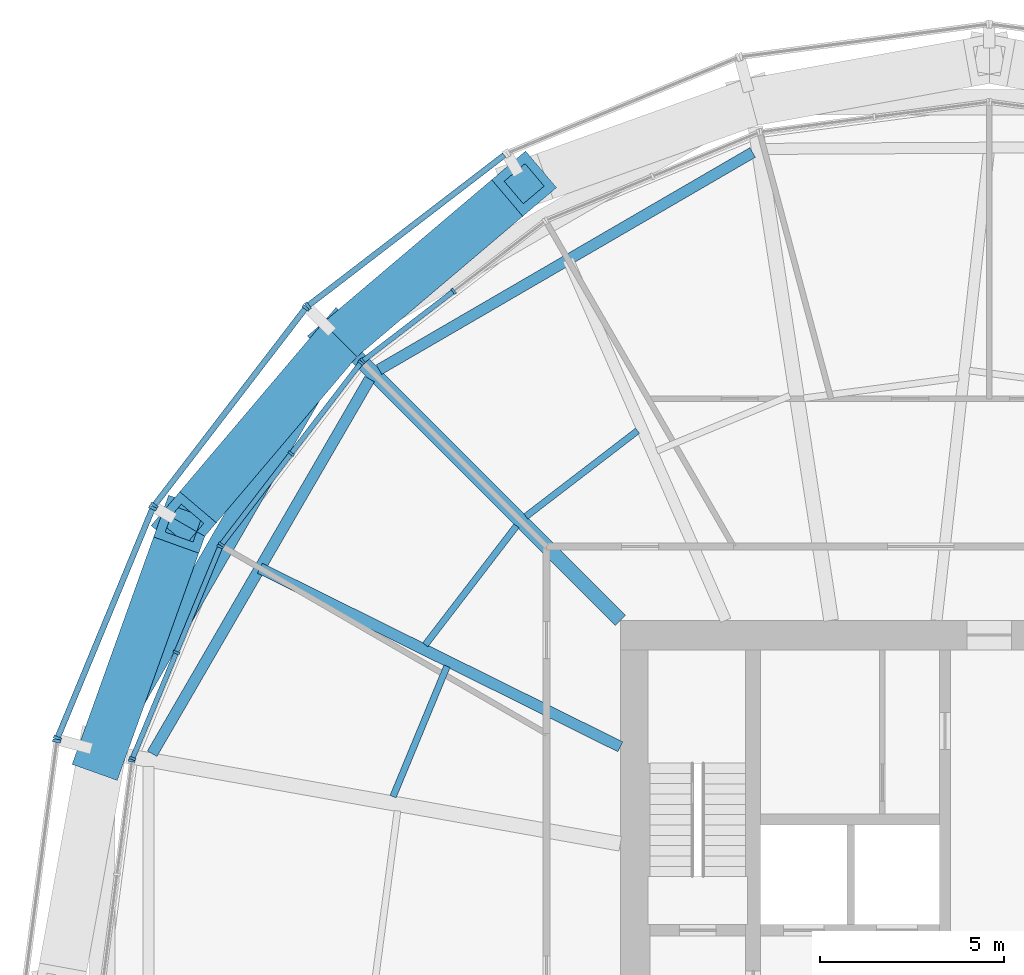
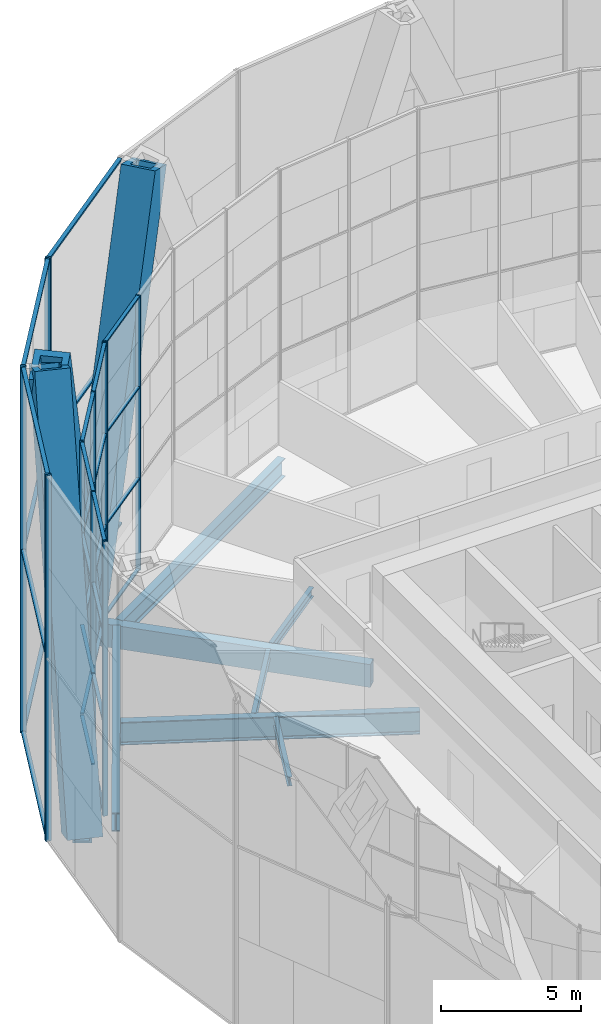
# One storey, part 7 of 26: 47 members, 8 beams, 8 elements without a shape of their own.
"""IFC4 building model written with IfcOpenShell, lengths in metres."""

from ifc_helpers import new_model, si_unit, direction, frame, origin, origin_2d, place, context, subcontext, project, spatial, rectangle, hollow_rectangle, i_section, extrude, material, material_profile, profile_set, type_object, element, aggregate, save


model = new_model("IFC4")

# Units and contexts
model_context = context("Model", 3, precision=1e-05, world=origin(), true_north=direction((0.0, 1.0)))
body_context = subcontext(model_context, "Body", "Model", "MODEL_VIEW")
ifc_project = project(units=[si_unit("LENGTHUNIT", "METRE"), si_unit("AREAUNIT", "SQUARE_METRE"), si_unit("VOLUMEUNIT", "CUBIC_METRE"), si_unit("PLANEANGLEUNIT", "RADIAN"), si_unit("MASSUNIT", "GRAM", prefix="KILO")], contexts=[model_context])

# Site, building, storey
site_placement = place(None, origin())
site = spatial("IfcSite", under=ifc_project, at=site_placement, CompositionType="ELEMENT")
building_placement = place(site_placement, origin())
building = spatial("IfcBuilding", under=site, at=building_placement, Name="Golbaran Civic Tower", CompositionType="ELEMENT")
storey_placement = place(building_placement, frame((0.0, 0.0, 69.0)))
storey = spatial("IfcBuildingStorey", under=building, at=storey_placement, Name="L16", CompositionType="ELEMENT", Elevation=69.0)

# Members
ifc_material_1 = material(Name="Steel S355", Category="steel")
ifc_material_profile_1 = material_profile(ifc_material_1, hollow_rectangle(XDim=1.300048828125, YDim=1.300048828125, WallThickness=0.25, at=origin_2d()), Name="BOX 1300x1300x250")
ifc_profile_set_1 = profile_set([ifc_material_profile_1], Name="Steel S355")
member_type_1 = type_object("IfcMemberType", Name="DIAGRID DIAGONAL BOX 1300x1300x250", PredefinedType="BRACE", material=ifc_profile_set_1)
for number, where, z_axis, x_axis, name in (
    (1, (-17.6005859375, 17.6005859375, -0.7099609375), (-0.244835995768, -0.288939520875, 0.925510285439), (0.762932071589, -0.646478657143, 0.0), "Diagonal D03-04R L16-L20"),
    (2, (-17.6005859375, 17.6005859375, -0.7099609375), (0.288939520875, 0.244835995768, 0.925510285439), (-0.646478657143, 0.762932071589, 0.0), "Diagonal D03-04L L16-L20"),
    (3, (-24.04296875, 6.4423828125, -0.7099609375), (0.127819765109, 0.356500071861, 0.925510565262), (-0.941324428799, 0.337503066276, 0.0), "Diagonal D03-05L L16-L20"),
):
    element("IfcMember", number, at=place(storey_placement, frame(where, z_axis=z_axis, x_axis=x_axis)), inside=storey, type_object=member_type_1, Name=name, PredefinedType="BRACE", context=body_context, shape_type="SweptSolid", body=[
        extrude(hollow_rectangle(XDim=1.300048828125, YDim=1.300048828125, WallThickness=0.25, at=origin_2d()), origin(), (0.0, 0.0, 1.0), 17.287841796875),
    ])

# Beams
ifc_material_profile_2 = material_profile(ifc_material_1, hollow_rectangle(XDim=0.699951171875, YDim=0.699951171875, WallThickness=0.080078125, at=origin_2d()), Name="BOX 700x700x80")
ifc_profile_set_2 = profile_set([ifc_material_profile_2], Name="Steel S355")
beam_type_1 = type_object("IfcBeamType", Name="DIAGRID RING TIE BOX 700x700x80", PredefinedType="BEAM", material=ifc_profile_set_2)
beam_1_placement = place(storey_placement, frame((-17.6005859375, 17.6005859375, -0.7099609375), z_axis=(-0.500011131643, -0.866018976832, 0.0), x_axis=(0.866018976832, -0.500011131643, 0.0)))
element("IfcBeam", 4, at=beam_1_placement, inside=storey, type_object=beam_type_1, Name="Ring tie 135.00 L16", PredefinedType="BEAM", context=body_context, shape_type="SweptSolid", body=[
    extrude(hollow_rectangle(XDim=0.699951171875, YDim=0.699951171875, WallThickness=0.080078125, at=origin_2d()), origin(), (0.0, 0.0, 1.0), 12.884521484375),
])
ifc_material_profile_3 = material_profile(ifc_material_1, i_section(OverallWidth=0.300048828125, OverallDepth=0.800048828125, WebThickness=0.017578125, FlangeThickness=0.032958984375, FilletRadius=0.030029296875, at=origin_2d()), Name="HEB 800")
ifc_profile_set_3 = profile_set([ifc_material_profile_3], Name="Steel S355")
beam_type_2 = type_object("IfcBeamType", Name="EDGE BEAM HEB 800", PredefinedType="BEAM", material=ifc_profile_set_3)
beam_2_placement = place(storey_placement, frame((-6.414794921875, 22.6787109375, -0.60009765625), z_axis=(-0.864537100855, -0.502569001476, 0.0), x_axis=(0.502569001476, -0.864537100855, 0.0)))
element("IfcBeam", 5, at=beam_2_placement, inside=storey, type_object=beam_type_2, Name="Edge beam 105.00 L16", PredefinedType="BEAM", context=body_context, shape_type="SweptSolid", body=[
    extrude(i_section(OverallWidth=0.300048828125, OverallDepth=0.800048828125, WebThickness=0.017578125, FlangeThickness=0.032958984375, FilletRadius=0.030029296875, at=origin_2d()), origin(), (0.0, 0.0, 1.0), 11.71044921875),
])
beam_3_placement = place(storey_placement, frame((-16.79345703125, 16.538818359375, -0.60009765625), z_axis=(-0.50199656433, -0.864869614104, 0.0), x_axis=(0.864869614104, -0.50199656433, 0.0)))
element("IfcBeam", 6, at=beam_3_placement, inside=storey, type_object=beam_type_2, Name="Edge beam 135.00 L16", PredefinedType="BEAM", context=body_context, shape_type="SweptSolid", body=[
    extrude(i_section(OverallWidth=0.300048828125, OverallDepth=0.800048828125, WebThickness=0.017578125, FlangeThickness=0.032958984375, FilletRadius=0.030029296875, at=origin_2d()), origin(), (0.0, 0.0, 1.0), 11.74169921875),
])
ifc_material_profile_4 = material_profile(ifc_material_1, i_section(OverallWidth=0.179931640625, OverallDepth=0.39990234375, WebThickness=0.008544921875, FlangeThickness=0.013427734375, FilletRadius=0.02099609375, at=origin_2d()), Name="IPE 400")
ifc_profile_set_4 = profile_set([ifc_material_profile_4], Name="Steel S355")
beam_type_3 = type_object("IfcBeamType", Name="FLOOR INFILL BEAM IPE 400", PredefinedType="BEAM", material=ifc_profile_set_4)
beam_4_placement = place(storey_placement, frame((-9.531005859375, 15.1376953125, -0.39990234375), z_axis=(-0.793350991378, -0.608764490159, 0.0), x_axis=(0.608764490159, -0.793350991378, 0.0)))
element("IfcBeam", 7, at=beam_4_placement, inside=storey, type_object=beam_type_3, Name="Infill beam 127.50 L16", PredefinedType="BEAM", context=body_context, shape_type="SweptSolid", body=[
    extrude(i_section(OverallWidth=0.179931640625, OverallDepth=0.39990234375, WebThickness=0.008544921875, FlangeThickness=0.013427734375, FilletRadius=0.02099609375, at=origin_2d()), origin(), (0.0, 0.0, 1.0), 3.817138671875),
])
beam_5_placement = place(storey_placement, frame((-12.813232421875, 12.55859375, -0.39990234375), z_axis=(-0.608754558613, -0.793358612084, 0.0), x_axis=(0.793358612084, -0.608754558613, 0.0)))
element("IfcBeam", 8, at=beam_5_placement, inside=storey, type_object=beam_type_3, Name="Infill beam 142.50 L16", PredefinedType="BEAM", context=body_context, shape_type="SweptSolid", body=[
    extrude(i_section(OverallWidth=0.179931640625, OverallDepth=0.39990234375, WebThickness=0.008544921875, FlangeThickness=0.013427734375, FilletRadius=0.02099609375, at=origin_2d()), origin(), (0.0, 0.0, 1.0), 4.0615234375),
])
beam_6_placement = place(storey_placement, frame((-14.696044921875, 8.75390625, -0.39990234375), z_axis=(-0.382660123613, -0.923889186968, 0.0), x_axis=(0.923889186968, -0.382660123613, 0.0)))
element("IfcBeam", 9, at=beam_6_placement, inside=storey, type_object=beam_type_3, Name="Infill beam 157.50 L16", PredefinedType="BEAM", context=body_context, shape_type="SweptSolid", body=[
    extrude(i_section(OverallWidth=0.179931640625, OverallDepth=0.39990234375, WebThickness=0.008544921875, FlangeThickness=0.013427734375, FilletRadius=0.02099609375, at=origin_2d()), origin(), (0.0, 0.0, 1.0), 3.822998046875),
])

# Curtain wall, members
ifc_material_2 = material(Name="Aluminium and glass", Category="aluminium")
curtain_wall_type_1 = type_object("IfcCurtainWallType", Name="INNER SKIN CURTAIN WALL", PredefinedType="NOTDEFINED", material=ifc_material_2)
curtain_wall_1_placement = place(storey_placement, origin())
curtain_wall_1 = element("IfcCurtainWall", 10, at=curtain_wall_1_placement, inside=storey, type_object=curtain_wall_type_1, Name="Inner skin L16 facet 9 CW1", ObjectType="INNER SKIN", PredefinedType="USERDEFINED")
ifc_material_3 = material(Name="Aluminium", Category="aluminium")
ifc_material_profile_5 = material_profile(ifc_material_3, rectangle(XDim=0.179931640625, YDim=0.06494140625, at=origin_2d()), Name="INNER SKIN CURTAIN WALL MULLION")
ifc_profile_set_5 = profile_set([ifc_material_profile_5], Name="Aluminium")
member_type_2 = type_object("IfcMemberType", Name="INNER SKIN CURTAIN WALL MULLION", PredefinedType="MULLION", material=ifc_profile_set_5)
member_1_placement = place(storey_placement, frame((-14.517333984375, 18.919189453125, 0.0), z_axis=(0.0, 0.0, 1.0), x_axis=(0.608761428967, -0.793353340323, 0.0)))
member_1 = element("IfcMember", 11, at=member_1_placement, type_object=member_type_2, Name="CW1 mullion 2", PredefinedType="MULLION", context=body_context, shape_type="SweptSolid", body=[
    extrude(rectangle(XDim=0.179931640625, YDim=0.06494140625, at=origin_2d()), origin(), (0.0, 0.0, 1.0), 12.0),
])
member_2_placement = place(storey_placement, frame((-16.982177734375, 17.02783203125, 0.0), z_axis=(0.0, 0.0, 1.0), x_axis=(0.608761428967, -0.793353340323, 0.0)))
member_2 = element("IfcMember", 12, at=member_2_placement, type_object=member_type_2, Name="CW1 mullion 3", PredefinedType="MULLION", context=body_context, shape_type="SweptSolid", body=[
    extrude(rectangle(XDim=0.179931640625, YDim=0.06494140625, at=origin_2d()), origin(), (0.0, 0.0, 1.0), 12.0),
])

curtain_wall_2_placement = place(storey_placement, origin())
curtain_wall_2 = element("IfcCurtainWall", 13, at=curtain_wall_2_placement, inside=storey, type_object=curtain_wall_type_1, Name="Inner skin L16 facet 10 CW1", ObjectType="INNER SKIN", PredefinedType="USERDEFINED")
member_3_placement = place(storey_placement, frame((-17.02783203125, 16.982177734375, 0.0), z_axis=(0.0, 0.0, 1.0), x_axis=(0.793353340323, -0.608761428967, 0.0)))
member_3 = element("IfcMember", 14, at=member_3_placement, type_object=member_type_2, Name="CW1 mullion 1", PredefinedType="MULLION", context=body_context, shape_type="SweptSolid", body=[
    extrude(rectangle(XDim=0.179931640625, YDim=0.06494140625, at=origin_2d()), origin(), (0.0, 0.0, 1.0), 12.0),
])
member_4_placement = place(storey_placement, frame((-18.919189453125, 14.517333984375, 0.0), z_axis=(0.0, 0.0, 1.0), x_axis=(0.793353340323, -0.608761428967, 0.0)))
member_4 = element("IfcMember", 15, at=member_4_placement, type_object=member_type_2, Name="CW1 mullion 2", PredefinedType="MULLION", context=body_context, shape_type="SweptSolid", body=[
    extrude(rectangle(XDim=0.179931640625, YDim=0.06494140625, at=origin_2d()), origin(), (0.0, 0.0, 1.0), 12.0),
])
member_5_placement = place(storey_placement, frame((-20.810791015625, 12.05224609375, 0.0), z_axis=(0.0, 0.0, 1.0), x_axis=(0.793353340323, -0.608761428967, 0.0)))
member_5 = element("IfcMember", 16, at=member_5_placement, type_object=member_type_2, Name="CW1 mullion 3", PredefinedType="MULLION", context=body_context, shape_type="SweptSolid", body=[
    extrude(rectangle(XDim=0.179931640625, YDim=0.06494140625, at=origin_2d()), origin(), (0.0, 0.0, 1.0), 12.0),
])

curtain_wall_3_placement = place(storey_placement, origin())
curtain_wall_3 = element("IfcCurtainWall", 17, at=curtain_wall_3_placement, inside=storey, type_object=curtain_wall_type_1, Name="Inner skin L16 facet 11 CW1", ObjectType="INNER SKIN", PredefinedType="USERDEFINED")
member_6_placement = place(storey_placement, frame((-20.843017578125, 11.99658203125, 0.0), z_axis=(0.0, 0.0, 1.0), x_axis=(0.923879532478, -0.382683432446, 0.0)))
member_6 = element("IfcMember", 18, at=member_6_placement, type_object=member_type_2, Name="CW1 mullion 1", PredefinedType="MULLION", context=body_context, shape_type="SweptSolid", body=[
    extrude(rectangle(XDim=0.179931640625, YDim=0.06494140625, at=origin_2d()), origin(), (0.0, 0.0, 1.0), 12.0),
])
member_7_placement = place(storey_placement, frame((-22.031982421875, 9.1259765625, 0.0), z_axis=(0.0, 0.0, 1.0), x_axis=(0.923879532478, -0.382683432446, 0.0)))
member_7 = element("IfcMember", 19, at=member_7_placement, type_object=member_type_2, Name="CW1 mullion 2", PredefinedType="MULLION", context=body_context, shape_type="SweptSolid", body=[
    extrude(rectangle(XDim=0.179931640625, YDim=0.06494140625, at=origin_2d()), origin(), (0.0, 0.0, 1.0), 12.0),
])
member_8_placement = place(storey_placement, frame((-23.220947265625, 6.25537109375, 0.0), z_axis=(0.0, 0.0, 1.0), x_axis=(0.923879532478, -0.382683432446, 0.0)))
member_8 = element("IfcMember", 20, at=member_8_placement, type_object=member_type_2, Name="CW1 mullion 3", PredefinedType="MULLION", context=body_context, shape_type="SweptSolid", body=[
    extrude(rectangle(XDim=0.179931640625, YDim=0.06494140625, at=origin_2d()), origin(), (0.0, 0.0, 1.0), 12.0),
])

# Curtain wall, member
curtain_wall_4_placement = place(storey_placement, origin())
curtain_wall_4 = element("IfcCurtainWall", 21, at=curtain_wall_4_placement, inside=storey, type_object=curtain_wall_type_1, Name="Inner skin L16 facet 12 CW1", ObjectType="INNER SKIN", PredefinedType="USERDEFINED")
member_9_placement = place(storey_placement, frame((-23.237548828125, 6.193115234375, 0.0), z_axis=(0.0, 0.0, 1.0), x_axis=(0.991444861381, -0.130526192168, 0.0)))
member_9 = element("IfcMember", 22, at=member_9_placement, type_object=member_type_2, Name="CW1 mullion 1", PredefinedType="MULLION", context=body_context, shape_type="SweptSolid", body=[
    extrude(rectangle(XDim=0.179931640625, YDim=0.06494140625, at=origin_2d()), origin(), (0.0, 0.0, 1.0), 12.0),
])
aggregate(curtain_wall_4, [member_9])

# Member
ifc_material_profile_6 = material_profile(ifc_material_3, rectangle(XDim=0.139892578125, YDim=0.06494140625, at=origin_2d()), Name="INNER SKIN CURTAIN WALL TRANSOM")
ifc_profile_set_6 = profile_set([ifc_material_profile_6], Name="Aluminium")
member_type_3 = type_object("IfcMemberType", Name="INNER SKIN CURTAIN WALL TRANSOM", PredefinedType="USERDEFINED", material=ifc_profile_set_6)
member_10_placement = place(storey_placement, frame((-14.54296875, 18.8994140625, 0.032470703125), z_axis=(-0.793384137592, -0.608721291082, 0.0), x_axis=(0.608721291082, -0.793384137592, 0.0)))
member_10 = element("IfcMember", 23, at=member_10_placement, type_object=member_type_3, Name="CW1 transom 2.1", ObjectType="TRANSOM", PredefinedType="USERDEFINED", context=body_context, shape_type="SweptSolid", body=[
    extrude(rectangle(XDim=0.139892578125, YDim=0.06494140625, at=origin_2d()), origin(), (0.0, 0.0, 1.0), 3.042236328125),
])

member_11_placement = place(storey_placement, frame((-14.54296875, 18.8994140625, 4.0), z_axis=(-0.793384137592, -0.608721291082, 0.0), x_axis=(0.608721291082, -0.793384137592, 0.0)))
member_11 = element("IfcMember", 24, at=member_11_placement, type_object=member_type_3, Name="CW1 transom 2.2", ObjectType="TRANSOM", PredefinedType="USERDEFINED", context=body_context, shape_type="SweptSolid", body=[
    extrude(rectangle(XDim=0.139892578125, YDim=0.06494140625, at=origin_2d()), origin(), (0.0, 0.0, 1.0), 3.042236328125),
])

member_12_placement = place(storey_placement, frame((-14.54296875, 18.8994140625, 8.0), z_axis=(-0.793384137592, -0.608721291082, 0.0), x_axis=(0.608721291082, -0.793384137592, 0.0)))
member_12 = element("IfcMember", 25, at=member_12_placement, type_object=member_type_3, Name="CW1 transom 2.3", ObjectType="TRANSOM", PredefinedType="USERDEFINED", context=body_context, shape_type="SweptSolid", body=[
    extrude(rectangle(XDim=0.139892578125, YDim=0.06494140625, at=origin_2d()), origin(), (0.0, 0.0, 1.0), 3.042236328125),
])

member_13_placement = place(storey_placement, frame((-14.54296875, 18.8994140625, 11.967529296875), z_axis=(-0.793384137592, -0.608721291082, 0.0), x_axis=(0.608721291082, -0.793384137592, 0.0)))
member_13 = element("IfcMember", 26, at=member_13_placement, type_object=member_type_3, Name="CW1 transom 2.4", ObjectType="TRANSOM", PredefinedType="USERDEFINED", context=body_context, shape_type="SweptSolid", body=[
    extrude(rectangle(XDim=0.139892578125, YDim=0.06494140625, at=origin_2d()), origin(), (0.0, 0.0, 1.0), 3.042236328125),
])

aggregate(curtain_wall_1, [member_1, member_2, member_10, member_11, member_12, member_13])

member_14_placement = place(storey_placement, frame((-17.047607421875, 16.95654296875, 0.032470703125), z_axis=(-0.608721291082, -0.793384137592, 0.0), x_axis=(0.793384137592, -0.608721291082, 0.0)))
member_14 = element("IfcMember", 27, at=member_14_placement, type_object=member_type_3, Name="CW1 transom 1.1", ObjectType="TRANSOM", PredefinedType="USERDEFINED", context=body_context, shape_type="SweptSolid", body=[
    extrude(rectangle(XDim=0.139892578125, YDim=0.06494140625, at=origin_2d()), origin(), (0.0, 0.0, 1.0), 3.042236328125),
])

member_15_placement = place(storey_placement, frame((-17.047607421875, 16.95654296875, 4.0), z_axis=(-0.608721291082, -0.793384137592, 0.0), x_axis=(0.793384137592, -0.608721291082, 0.0)))
member_15 = element("IfcMember", 28, at=member_15_placement, type_object=member_type_3, Name="CW1 transom 1.2", ObjectType="TRANSOM", PredefinedType="USERDEFINED", context=body_context, shape_type="SweptSolid", body=[
    extrude(rectangle(XDim=0.139892578125, YDim=0.06494140625, at=origin_2d()), origin(), (0.0, 0.0, 1.0), 3.042236328125),
])

member_16_placement = place(storey_placement, frame((-17.047607421875, 16.95654296875, 8.0), z_axis=(-0.608721291082, -0.793384137592, 0.0), x_axis=(0.793384137592, -0.608721291082, 0.0)))
member_16 = element("IfcMember", 29, at=member_16_placement, type_object=member_type_3, Name="CW1 transom 1.3", ObjectType="TRANSOM", PredefinedType="USERDEFINED", context=body_context, shape_type="SweptSolid", body=[
    extrude(rectangle(XDim=0.139892578125, YDim=0.06494140625, at=origin_2d()), origin(), (0.0, 0.0, 1.0), 3.042236328125),
])

member_17_placement = place(storey_placement, frame((-17.047607421875, 16.95654296875, 11.967529296875), z_axis=(-0.608721291082, -0.793384137592, 0.0), x_axis=(0.793384137592, -0.608721291082, 0.0)))
member_17 = element("IfcMember", 30, at=member_17_placement, type_object=member_type_3, Name="CW1 transom 1.4", ObjectType="TRANSOM", PredefinedType="USERDEFINED", context=body_context, shape_type="SweptSolid", body=[
    extrude(rectangle(XDim=0.139892578125, YDim=0.06494140625, at=origin_2d()), origin(), (0.0, 0.0, 1.0), 3.042236328125),
])

member_18_placement = place(storey_placement, frame((-18.93896484375, 14.491455078125, 0.032470703125), z_axis=(-0.608810562982, -0.79331563605, 0.0), x_axis=(0.79331563605, -0.608810562982, 0.0)))
member_18 = element("IfcMember", 31, at=member_18_placement, type_object=member_type_3, Name="CW1 transom 2.1", ObjectType="TRANSOM", PredefinedType="USERDEFINED", context=body_context, shape_type="SweptSolid", body=[
    extrude(rectangle(XDim=0.139892578125, YDim=0.06494140625, at=origin_2d()), origin(), (0.0, 0.0, 1.0), 3.0419921875),
])

member_19_placement = place(storey_placement, frame((-18.93896484375, 14.491455078125, 4.0), z_axis=(-0.608810562982, -0.79331563605, 0.0), x_axis=(0.79331563605, -0.608810562982, 0.0)))
member_19 = element("IfcMember", 32, at=member_19_placement, type_object=member_type_3, Name="CW1 transom 2.2", ObjectType="TRANSOM", PredefinedType="USERDEFINED", context=body_context, shape_type="SweptSolid", body=[
    extrude(rectangle(XDim=0.139892578125, YDim=0.06494140625, at=origin_2d()), origin(), (0.0, 0.0, 1.0), 3.0419921875),
])

member_20_placement = place(storey_placement, frame((-18.93896484375, 14.491455078125, 8.0), z_axis=(-0.608810562982, -0.79331563605, 0.0), x_axis=(0.79331563605, -0.608810562982, 0.0)))
member_20 = element("IfcMember", 33, at=member_20_placement, type_object=member_type_3, Name="CW1 transom 2.3", ObjectType="TRANSOM", PredefinedType="USERDEFINED", context=body_context, shape_type="SweptSolid", body=[
    extrude(rectangle(XDim=0.139892578125, YDim=0.06494140625, at=origin_2d()), origin(), (0.0, 0.0, 1.0), 3.0419921875),
])

member_21_placement = place(storey_placement, frame((-18.93896484375, 14.491455078125, 11.967529296875), z_axis=(-0.608810562982, -0.79331563605, 0.0), x_axis=(0.79331563605, -0.608810562982, 0.0)))
member_21 = element("IfcMember", 34, at=member_21_placement, type_object=member_type_3, Name="CW1 transom 2.4", ObjectType="TRANSOM", PredefinedType="USERDEFINED", context=body_context, shape_type="SweptSolid", body=[
    extrude(rectangle(XDim=0.139892578125, YDim=0.06494140625, at=origin_2d()), origin(), (0.0, 0.0, 1.0), 3.0419921875),
])

aggregate(curtain_wall_2, [member_3, member_4, member_5, member_14, member_15, member_16, member_17, member_18, member_19, member_20, member_21])

member_22_placement = place(storey_placement, frame((-20.85546875, 11.966552734375, 0.032470703125), z_axis=(-0.382654214168, -0.923891634543, 0.0), x_axis=(0.923891634543, -0.382654214168, 0.0)))
member_22 = element("IfcMember", 35, at=member_22_placement, type_object=member_type_3, Name="CW1 transom 1.1", ObjectType="TRANSOM", PredefinedType="USERDEFINED", context=body_context, shape_type="SweptSolid", body=[
    extrude(rectangle(XDim=0.139892578125, YDim=0.06494140625, at=origin_2d()), origin(), (0.0, 0.0, 1.0), 3.0419921875),
])

member_23_placement = place(storey_placement, frame((-20.85546875, 11.966552734375, 4.0), z_axis=(-0.382654214168, -0.923891634543, 0.0), x_axis=(0.923891634543, -0.382654214168, 0.0)))
member_23 = element("IfcMember", 36, at=member_23_placement, type_object=member_type_3, Name="CW1 transom 1.2", ObjectType="TRANSOM", PredefinedType="USERDEFINED", context=body_context, shape_type="SweptSolid", body=[
    extrude(rectangle(XDim=0.139892578125, YDim=0.06494140625, at=origin_2d()), origin(), (0.0, 0.0, 1.0), 3.0419921875),
])

member_24_placement = place(storey_placement, frame((-20.85546875, 11.966552734375, 8.0), z_axis=(-0.382654214168, -0.923891634543, 0.0), x_axis=(0.923891634543, -0.382654214168, 0.0)))
member_24 = element("IfcMember", 37, at=member_24_placement, type_object=member_type_3, Name="CW1 transom 1.3", ObjectType="TRANSOM", PredefinedType="USERDEFINED", context=body_context, shape_type="SweptSolid", body=[
    extrude(rectangle(XDim=0.139892578125, YDim=0.06494140625, at=origin_2d()), origin(), (0.0, 0.0, 1.0), 3.0419921875),
])

member_25_placement = place(storey_placement, frame((-20.85546875, 11.966552734375, 11.967529296875), z_axis=(-0.382654214168, -0.923891634543, 0.0), x_axis=(0.923891634543, -0.382654214168, 0.0)))
member_25 = element("IfcMember", 38, at=member_25_placement, type_object=member_type_3, Name="CW1 transom 1.4", ObjectType="TRANSOM", PredefinedType="USERDEFINED", context=body_context, shape_type="SweptSolid", body=[
    extrude(rectangle(XDim=0.139892578125, YDim=0.06494140625, at=origin_2d()), origin(), (0.0, 0.0, 1.0), 3.0419921875),
])

member_26_placement = place(storey_placement, frame((-22.04443359375, 9.095947265625, 0.032470703125), z_axis=(-0.382654214168, -0.923891634543, 0.0), x_axis=(0.923891634543, -0.382654214168, 0.0)))
member_26 = element("IfcMember", 39, at=member_26_placement, type_object=member_type_3, Name="CW1 transom 2.1", ObjectType="TRANSOM", PredefinedType="USERDEFINED", context=body_context, shape_type="SweptSolid", body=[
    extrude(rectangle(XDim=0.139892578125, YDim=0.06494140625, at=origin_2d()), origin(), (0.0, 0.0, 1.0), 3.0419921875),
])

member_27_placement = place(storey_placement, frame((-22.04443359375, 9.095947265625, 4.0), z_axis=(-0.382654214168, -0.923891634543, 0.0), x_axis=(0.923891634543, -0.382654214168, 0.0)))
member_27 = element("IfcMember", 40, at=member_27_placement, type_object=member_type_3, Name="CW1 transom 2.2", ObjectType="TRANSOM", PredefinedType="USERDEFINED", context=body_context, shape_type="SweptSolid", body=[
    extrude(rectangle(XDim=0.139892578125, YDim=0.06494140625, at=origin_2d()), origin(), (0.0, 0.0, 1.0), 3.0419921875),
])

member_28_placement = place(storey_placement, frame((-22.04443359375, 9.095947265625, 8.0), z_axis=(-0.382654214168, -0.923891634543, 0.0), x_axis=(0.923891634543, -0.382654214168, 0.0)))
member_28 = element("IfcMember", 41, at=member_28_placement, type_object=member_type_3, Name="CW1 transom 2.3", ObjectType="TRANSOM", PredefinedType="USERDEFINED", context=body_context, shape_type="SweptSolid", body=[
    extrude(rectangle(XDim=0.139892578125, YDim=0.06494140625, at=origin_2d()), origin(), (0.0, 0.0, 1.0), 3.0419921875),
])

member_29_placement = place(storey_placement, frame((-22.04443359375, 9.095947265625, 11.967529296875), z_axis=(-0.382654214168, -0.923891634543, 0.0), x_axis=(0.923891634543, -0.382654214168, 0.0)))
member_29 = element("IfcMember", 42, at=member_29_placement, type_object=member_type_3, Name="CW1 transom 2.4", ObjectType="TRANSOM", PredefinedType="USERDEFINED", context=body_context, shape_type="SweptSolid", body=[
    extrude(rectangle(XDim=0.139892578125, YDim=0.06494140625, at=origin_2d()), origin(), (0.0, 0.0, 1.0), 3.0419921875),
])

aggregate(curtain_wall_3, [member_6, member_7, member_8, member_22, member_23, member_24, member_25, member_26, member_27, member_28, member_29])

# Curtain wall, member
curtain_wall_type_2 = type_object("IfcCurtainWallType", Name="OUTER SKIN TERRACOTTA SCREEN", PredefinedType="NOTDEFINED", material=ifc_material_2)
curtain_wall_5_placement = place(storey_placement, origin())
curtain_wall_5 = element("IfcCurtainWall", 43, at=curtain_wall_5_placement, inside=storey, type_object=curtain_wall_type_2, Name="Outer skin L16 facet 9 CW3", ObjectType="OUTER SKIN", PredefinedType="USERDEFINED")
ifc_material_profile_7 = material_profile(ifc_material_3, rectangle(XDim=0.219970703125, YDim=0.080078125, at=origin_2d()), Name="OUTER SKIN TERRACOTTA SCREEN MULLION")
ifc_profile_set_7 = profile_set([ifc_material_profile_7], Name="Aluminium")
member_type_4 = type_object("IfcMemberType", Name="OUTER SKIN TERRACOTTA SCREEN MULLION", PredefinedType="MULLION", material=ifc_profile_set_7)
member_30_placement = place(storey_placement, frame((-18.466796875, 18.52294921875, -0.7099609375), z_axis=(0.0, 0.0, 1.0), x_axis=(0.608761428912, -0.793353340366, 0.0)))
member_30 = element("IfcMember", 44, at=member_30_placement, type_object=member_type_4, Name="CW3 mullion 2", PredefinedType="MULLION", context=body_context, shape_type="SweptSolid", body=[
    extrude(rectangle(XDim=0.219970703125, YDim=0.080078125, at=origin_2d()), origin(), (0.0, 0.0, 1.0), 16.0),
])

# Curtain wall, members
curtain_wall_6_placement = place(storey_placement, origin())
curtain_wall_6 = element("IfcCurtainWall", 45, at=curtain_wall_6_placement, inside=storey, type_object=curtain_wall_type_2, Name="Outer skin L16 facet 10 CW3", ObjectType="OUTER SKIN", PredefinedType="USERDEFINED")
member_31_placement = place(storey_placement, frame((-18.52294921875, 18.466796875, -0.7099609375), z_axis=(0.0, 0.0, 1.0), x_axis=(0.793353340366, -0.608761428912, 0.0)))
member_31 = element("IfcMember", 46, at=member_31_placement, type_object=member_type_4, Name="CW3 mullion 1", PredefinedType="MULLION", context=body_context, shape_type="SweptSolid", body=[
    extrude(rectangle(XDim=0.219970703125, YDim=0.080078125, at=origin_2d()), origin(), (0.0, 0.0, 1.0), 16.0),
])
member_32_placement = place(storey_placement, frame((-22.6318359375, 13.1123046875, -0.7099609375), z_axis=(0.0, 0.0, 1.0), x_axis=(0.793353340366, -0.608761428912, 0.0)))
member_32 = element("IfcMember", 47, at=member_32_placement, type_object=member_type_4, Name="CW3 mullion 2", PredefinedType="MULLION", context=body_context, shape_type="SweptSolid", body=[
    extrude(rectangle(XDim=0.219970703125, YDim=0.080078125, at=origin_2d()), origin(), (0.0, 0.0, 1.0), 16.0),
])

curtain_wall_7_placement = place(storey_placement, origin())
curtain_wall_7 = element("IfcCurtainWall", 48, at=curtain_wall_7_placement, inside=storey, type_object=curtain_wall_type_2, Name="Outer skin L16 facet 11 CW3", ObjectType="OUTER SKIN", PredefinedType="USERDEFINED")
member_33_placement = place(storey_placement, frame((-22.67138671875, 13.04345703125, -0.7099609375), z_axis=(0.0, 0.0, 1.0), x_axis=(0.923879532465, -0.382683432478, 0.0)))
member_33 = element("IfcMember", 49, at=member_33_placement, type_object=member_type_4, Name="CW3 mullion 1", PredefinedType="MULLION", context=body_context, shape_type="SweptSolid", body=[
    extrude(rectangle(XDim=0.219970703125, YDim=0.080078125, at=origin_2d()), origin(), (0.0, 0.0, 1.0), 16.0),
])
member_34_placement = place(storey_placement, frame((-25.25439453125, 6.807861328125, -0.7099609375), z_axis=(0.0, 0.0, 1.0), x_axis=(0.923879532465, -0.382683432478, 0.0)))
member_34 = element("IfcMember", 50, at=member_34_placement, type_object=member_type_4, Name="CW3 mullion 2", PredefinedType="MULLION", context=body_context, shape_type="SweptSolid", body=[
    extrude(rectangle(XDim=0.219970703125, YDim=0.080078125, at=origin_2d()), origin(), (0.0, 0.0, 1.0), 16.0),
])

# Curtain wall, member
curtain_wall_8_placement = place(storey_placement, origin())
curtain_wall_8 = element("IfcCurtainWall", 51, at=curtain_wall_8_placement, inside=storey, type_object=curtain_wall_type_2, Name="Outer skin L16 facet 12 CW3", ObjectType="OUTER SKIN", PredefinedType="USERDEFINED")
member_35_placement = place(storey_placement, frame((-25.27490234375, 6.731201171875, -0.7099609375), z_axis=(0.0, 0.0, 1.0), x_axis=(0.991444861383, -0.130526192151, 0.0)))
member_35 = element("IfcMember", 52, at=member_35_placement, type_object=member_type_4, Name="CW3 mullion 1", PredefinedType="MULLION", context=body_context, shape_type="SweptSolid", body=[
    extrude(rectangle(XDim=0.219970703125, YDim=0.080078125, at=origin_2d()), origin(), (0.0, 0.0, 1.0), 16.0),
])
aggregate(curtain_wall_8, [member_35])

# Member
ifc_material_profile_8 = material_profile(ifc_material_3, rectangle(XDim=0.159912109375, YDim=0.080078125, at=origin_2d()), Name="OUTER SKIN TERRACOTTA SCREEN TRANSOM")
ifc_profile_set_8 = profile_set([ifc_material_profile_8], Name="Aluminium")
member_type_5 = type_object("IfcMemberType", Name="OUTER SKIN TERRACOTTA SCREEN TRANSOM", PredefinedType="USERDEFINED", material=ifc_profile_set_8)
member_36_placement = place(storey_placement, frame((-13.14404296875, 22.607421875, -0.669921875), z_axis=(-0.79334468567, -0.608772707765, 0.0), x_axis=(0.608772707765, -0.79334468567, 0.0)))
member_36 = element("IfcMember", 53, at=member_36_placement, type_object=member_type_5, Name="CW3 transom 1.1", ObjectType="TRANSOM", PredefinedType="USERDEFINED", context=body_context, shape_type="SweptSolid", body=[
    extrude(rectangle(XDim=0.159912109375, YDim=0.080078125, at=origin_2d()), origin(), (0.0, 0.0, 1.0), 6.669189453125),
])

member_37_placement = place(storey_placement, frame((-13.14404296875, 22.607421875, 7.2900390625), z_axis=(-0.79334468567, -0.608772707765, 0.0), x_axis=(0.608772707765, -0.79334468567, 0.0)))
member_37 = element("IfcMember", 54, at=member_37_placement, type_object=member_type_5, Name="CW3 transom 1.2", ObjectType="TRANSOM", PredefinedType="USERDEFINED", context=body_context, shape_type="SweptSolid", body=[
    extrude(rectangle(XDim=0.159912109375, YDim=0.080078125, at=origin_2d()), origin(), (0.0, 0.0, 1.0), 6.669189453125),
])

member_38_placement = place(storey_placement, frame((-13.14404296875, 22.607421875, 15.25), z_axis=(-0.79334468567, -0.608772707765, 0.0), x_axis=(0.608772707765, -0.79334468567, 0.0)))
member_38 = element("IfcMember", 55, at=member_38_placement, type_object=member_type_5, Name="CW3 transom 1.3", ObjectType="TRANSOM", PredefinedType="USERDEFINED", context=body_context, shape_type="SweptSolid", body=[
    extrude(rectangle(XDim=0.159912109375, YDim=0.080078125, at=origin_2d()), origin(), (0.0, 0.0, 1.0), 6.669189453125),
])

aggregate(curtain_wall_5, [member_30, member_36, member_37, member_38])

member_39_placement = place(storey_placement, frame((-18.54736328125, 18.43505859375, -0.669921875), z_axis=(-0.608772707765, -0.79334468567, 0.0), x_axis=(0.79334468567, -0.608772707765, 0.0)))
member_39 = element("IfcMember", 56, at=member_39_placement, type_object=member_type_5, Name="CW3 transom 1.1", ObjectType="TRANSOM", PredefinedType="USERDEFINED", context=body_context, shape_type="SweptSolid", body=[
    extrude(rectangle(XDim=0.159912109375, YDim=0.080078125, at=origin_2d()), origin(), (0.0, 0.0, 1.0), 6.669189453125),
])

member_40_placement = place(storey_placement, frame((-18.54736328125, 18.43505859375, 7.2900390625), z_axis=(-0.608772707765, -0.79334468567, 0.0), x_axis=(0.79334468567, -0.608772707765, 0.0)))
member_40 = element("IfcMember", 57, at=member_40_placement, type_object=member_type_5, Name="CW3 transom 1.2", ObjectType="TRANSOM", PredefinedType="USERDEFINED", context=body_context, shape_type="SweptSolid", body=[
    extrude(rectangle(XDim=0.159912109375, YDim=0.080078125, at=origin_2d()), origin(), (0.0, 0.0, 1.0), 6.669189453125),
])

member_41_placement = place(storey_placement, frame((-18.54736328125, 18.43505859375, 15.25), z_axis=(-0.608772707765, -0.79334468567, 0.0), x_axis=(0.79334468567, -0.608772707765, 0.0)))
member_41 = element("IfcMember", 58, at=member_41_placement, type_object=member_type_5, Name="CW3 transom 1.3", ObjectType="TRANSOM", PredefinedType="USERDEFINED", context=body_context, shape_type="SweptSolid", body=[
    extrude(rectangle(XDim=0.159912109375, YDim=0.080078125, at=origin_2d()), origin(), (0.0, 0.0, 1.0), 6.669189453125),
])

aggregate(curtain_wall_6, [member_31, member_32, member_39, member_40, member_41])

member_42_placement = place(storey_placement, frame((-22.686767578125, 13.006591796875, -0.669921875), z_axis=(-0.382685873056, -0.92387852154, 0.0), x_axis=(0.92387852154, -0.382685873056, 0.0)))
member_42 = element("IfcMember", 59, at=member_42_placement, type_object=member_type_5, Name="CW3 transom 1.1", ObjectType="TRANSOM", PredefinedType="USERDEFINED", context=body_context, shape_type="SweptSolid", body=[
    extrude(rectangle(XDim=0.159912109375, YDim=0.080078125, at=origin_2d()), origin(), (0.0, 0.0, 1.0), 6.669189453125),
])

member_43_placement = place(storey_placement, frame((-22.686767578125, 13.006591796875, 7.2900390625), z_axis=(-0.382685873056, -0.92387852154, 0.0), x_axis=(0.92387852154, -0.382685873056, 0.0)))
member_43 = element("IfcMember", 60, at=member_43_placement, type_object=member_type_5, Name="CW3 transom 1.2", ObjectType="TRANSOM", PredefinedType="USERDEFINED", context=body_context, shape_type="SweptSolid", body=[
    extrude(rectangle(XDim=0.159912109375, YDim=0.080078125, at=origin_2d()), origin(), (0.0, 0.0, 1.0), 6.669189453125),
])

member_44_placement = place(storey_placement, frame((-22.686767578125, 13.006591796875, 15.25), z_axis=(-0.382685873056, -0.92387852154, 0.0), x_axis=(0.92387852154, -0.382685873056, 0.0)))
member_44 = element("IfcMember", 61, at=member_44_placement, type_object=member_type_5, Name="CW3 transom 1.3", ObjectType="TRANSOM", PredefinedType="USERDEFINED", context=body_context, shape_type="SweptSolid", body=[
    extrude(rectangle(XDim=0.159912109375, YDim=0.080078125, at=origin_2d()), origin(), (0.0, 0.0, 1.0), 6.669189453125),
])

aggregate(curtain_wall_7, [member_33, member_34, member_42, member_43, member_44])

# Beams
ifc_material_profile_9 = material_profile(ifc_material_1, hollow_rectangle(XDim=0.39990234375, YDim=1.0, WallThickness=0.0400390625, at=origin_2d()), Name="BOX 1000x400x40")
ifc_profile_set_9 = profile_set([ifc_material_profile_9], Name="Steel S355")
beam_type_4 = type_object("IfcBeamType", Name="RADIAL FLOOR BEAM BOX 1000x400x40", PredefinedType="BEAM", material=ifc_profile_set_9)
beam_7_placement = place(storey_placement, frame((-10.0, 10.0, -0.7099609375), z_axis=(-0.707106781187, 0.707106781187, 0.0), x_axis=(-0.707106781187, -0.707106781187, 0.0)))
element("IfcBeam", 62, at=beam_7_placement, inside=storey, type_object=beam_type_4, Name="Radial beam 135.00 L16", PredefinedType="BEAM", context=body_context, shape_type="SweptSolid", body=[
    extrude(hollow_rectangle(XDim=0.39990234375, YDim=1.0, WallThickness=0.0400390625, at=origin_2d()), origin(), (0.0, 0.0, 1.0), 10.085205078125),
])
ifc_material_profile_10 = material_profile(ifc_material_1, i_section(OverallWidth=0.300048828125, OverallDepth=1.0, WebThickness=0.01904296875, FlangeThickness=0.035888671875, FilletRadius=0.030029296875, at=origin_2d()), Name="HEB 1000")
ifc_profile_set_10 = profile_set([ifc_material_profile_10], Name="Steel S355")
beam_type_5 = type_object("IfcBeamType", Name="SECONDARY FLOOR BEAM HEB 1000", PredefinedType="BEAM", material=ifc_profile_set_10)
beam_8_placement = place(storey_placement, frame((-10.0, 6.571533203125, -0.7099609375), z_axis=(-0.895980297639, 0.444093803428, 0.0), x_axis=(-0.444093803428, -0.895980297639, 0.0)))
element("IfcBeam", 63, at=beam_8_placement, inside=storey, type_object=beam_type_5, Name="Secondary beam 150.00 L16", PredefinedType="BEAM", context=body_context, shape_type="SweptSolid", body=[
    extrude(i_section(OverallWidth=0.300048828125, OverallDepth=1.0, WebThickness=0.01904296875, FlangeThickness=0.035888671875, FilletRadius=0.030029296875, at=origin_2d()), origin(), (0.0, 0.0, 1.0), 10.902587890625),
])

save(model, "model.ifc")
